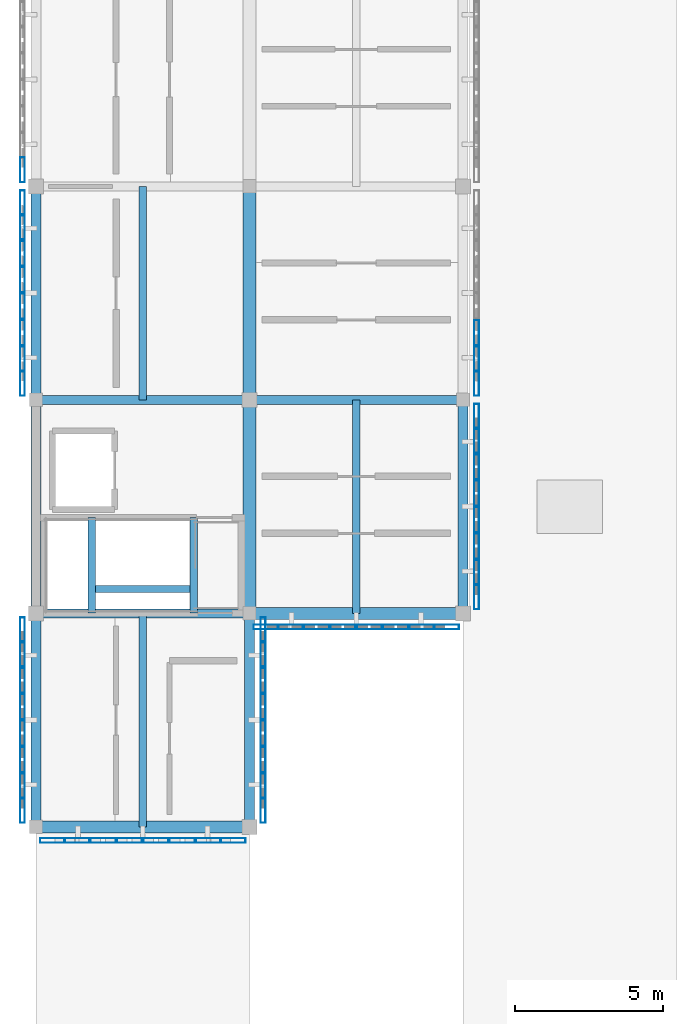
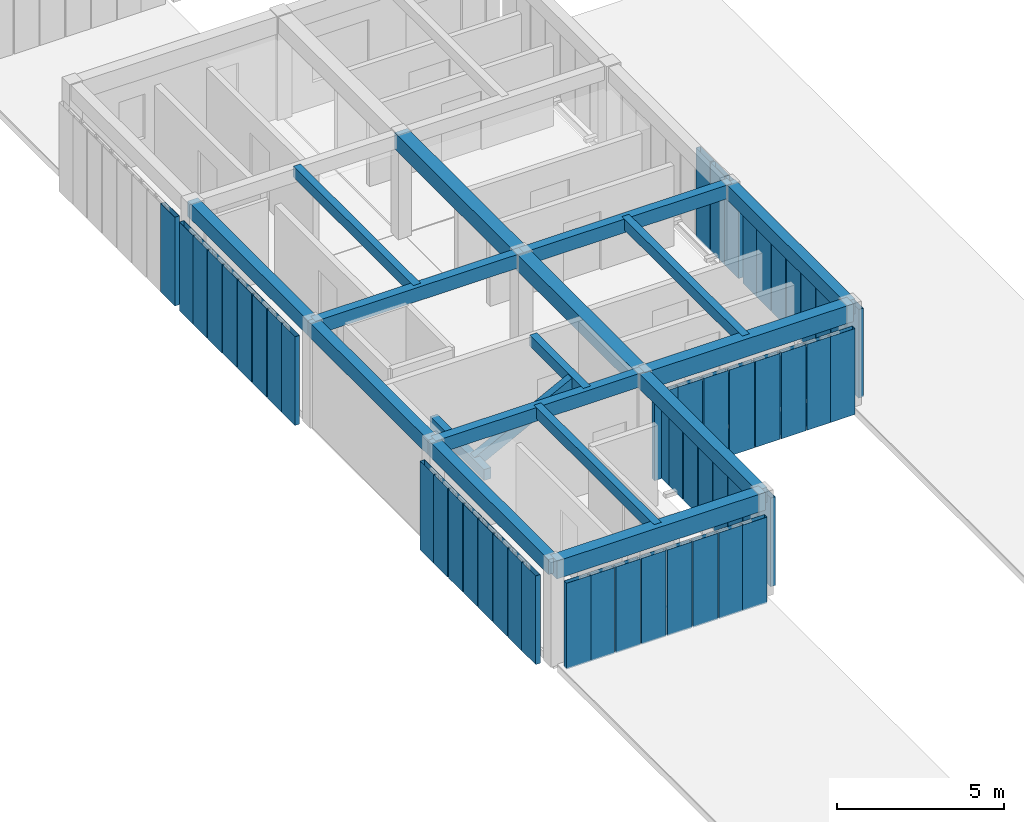
# One storey, part 3 of 67: 52 members, 18 beams, 8 elements without a shape of their own.
"""IFC4 building model written with IfcOpenShell, lengths in metres."""

from ifc_helpers import new_model, si_unit, direction, frame, origin, origin_2d, place, context, subcontext, project, spatial, rectangle, hollow_rectangle, extrude, material, material_profile, profile_set, type_object, element, aggregate, save


model = new_model("IFC4")

# Units and contexts
model_context = context("Model", 3, precision=1e-05, world=origin(), true_north=direction((0.0, 1.0)))
body_context = subcontext(model_context, "Body", "Model", "MODEL_VIEW")
ifc_project = project(units=[si_unit("LENGTHUNIT", "METRE"), si_unit("AREAUNIT", "SQUARE_METRE"), si_unit("VOLUMEUNIT", "CUBIC_METRE"), si_unit("PLANEANGLEUNIT", "RADIAN"), si_unit("MASSUNIT", "GRAM", prefix="KILO")], contexts=[model_context])

# Site, building, storey
site_placement = place(None, origin())
site = spatial("IfcSite", under=ifc_project, at=site_placement, CompositionType="ELEMENT")
building_placement = place(site_placement, origin())
building = spatial("IfcBuilding", under=site, at=building_placement, Name="Aldebral Square Health Centre", CompositionType="ELEMENT")
storey_placement = place(building_placement, frame((0.0, 0.0, 13.5)))
storey = spatial("IfcBuildingStorey", under=building, at=storey_placement, Name="L03", CompositionType="ELEMENT", Elevation=13.5)

# Beams
ifc_material_1 = material(Name="Concrete C40/50", Category="concrete")
ifc_material_profile_1 = material_profile(ifc_material_1, rectangle(XDim=0.39990234375, YDim=0.64990234375, at=origin_2d()), Name="RC 400x650")
ifc_profile_set_1 = profile_set([ifc_material_profile_1], Name="Concrete C40/50")
beam_type_1 = type_object("IfcBeamType", Name="BM-B1", PredefinedType="BEAM", material=ifc_profile_set_1)
for number, where, z_axis, x_axis, name in (
    (1, (0.0, 21.60009765625, 3.465087890625), (1.0, 0.0, 0.0), (0.0, 1.0, 0.0), "L03 X-beam 1-2/G4"),
    (2, (7.199951171875, 28.800048828125, 3.465087890625), (1.0, 0.0, 0.0), (0.0, 1.0, 0.0), "L03 X-beam 2-3/G5"),
):
    element("IfcBeam", number, at=place(storey_placement, frame(where, z_axis=z_axis, x_axis=x_axis)), inside=storey, type_object=beam_type_1, Name=name, PredefinedType="BEAM", context=body_context, shape_type="SweptSolid", body=[
        extrude(rectangle(XDim=0.39990234375, YDim=0.64990234375, at=origin_2d()), origin(), (0.0, 0.0, 1.0), 7.199951171875),
    ])
ifc_material_profile_2 = material_profile(ifc_material_1, rectangle(XDim=0.35009765625, YDim=0.550048828125, at=origin_2d()), Name="RC 350x550")
ifc_profile_set_2 = profile_set([ifc_material_profile_2], Name="Concrete C40/50")
beam_type_2 = type_object("IfcBeamType", Name="BM-B3", PredefinedType="BEAM", material=ifc_profile_set_2)
for number, where, z_axis, x_axis, name in (
    (3, (0.0, 21.60009765625, 3.514892578125), (0.0, 1.0, 0.0), (-1.0, 0.0, 0.0), "L03 Y-beam G1/4-5"),
    (4, (0.0, 28.800048828125, 3.514892578125), (0.0, 1.0, 0.0), (-1.0, 0.0, 0.0), "L03 Y-beam G1/5-6"),
    (5, (0.0, 36.0, 3.514892578125), (0.0, 1.0, 0.0), (-1.0, 0.0, 0.0), "L03 Y-beam G1/6-7"),
    (6, (7.199951171875, 21.60009765625, 3.514892578125), (0.0, 1.0, 0.0), (-1.0, 0.0, 0.0), "L03 Y-beam G2/4-5"),
    (7, (14.39990234375, 28.800048828125, 3.514892578125), (0.0, 1.0, 0.0), (-1.0, 0.0, 0.0), "L03 Y-beam G3/5-6"),
):
    element("IfcBeam", number, at=place(storey_placement, frame(where, z_axis=z_axis, x_axis=x_axis)), inside=storey, type_object=beam_type_2, Name=name, PredefinedType="BEAM", context=body_context, shape_type="SweptSolid", body=[
        extrude(rectangle(XDim=0.35009765625, YDim=0.550048828125, at=origin_2d()), origin(), (0.0, 0.0, 1.0), 7.199951171875),
    ])
ifc_material_profile_3 = material_profile(ifc_material_1, rectangle(XDim=0.300048828125, YDim=0.5, at=origin_2d()), Name="RC 300x500")
ifc_profile_set_3 = profile_set([ifc_material_profile_3], Name="Concrete C40/50")
beam_type_3 = type_object("IfcBeamType", Name="BM-B4", PredefinedType="BEAM", material=ifc_profile_set_3)
for number, where, z_axis, x_axis, name in (
    (8, (0.0, 28.800048828125, 3.5400390625), (1.0, 0.0, 0.0), (0.0, 1.0, 0.0), "L03 X-beam 1-2/G5"),
    (9, (0.0, 36.0, 3.5400390625), (1.0, 0.0, 0.0), (0.0, 1.0, 0.0), "L03 X-beam 1-2/G6"),
    (10, (7.199951171875, 36.0, 3.5400390625), (1.0, 0.0, 0.0), (0.0, 1.0, 0.0), "L03 X-beam 2-3/G6"),
):
    element("IfcBeam", number, at=place(storey_placement, frame(where, z_axis=z_axis, x_axis=x_axis)), inside=storey, type_object=beam_type_3, Name=name, PredefinedType="BEAM", context=body_context, shape_type="SweptSolid", body=[
        extrude(rectangle(XDim=0.300048828125, YDim=0.5, at=origin_2d()), origin(), (0.0, 0.0, 1.0), 7.199951171875),
    ])
ifc_material_profile_4 = material_profile(ifc_material_1, rectangle(XDim=0.25, YDim=0.39990234375, at=origin_2d()), Name="RC 250x400")
ifc_profile_set_4 = profile_set([ifc_material_profile_4], Name="Concrete C40/50")
beam_type_4 = type_object("IfcBeamType", Name="BM-B6", PredefinedType="JOIST", material=ifc_profile_set_4)
for number, where, z_axis, x_axis, name in (
    (11, (3.60009765625, 21.60009765625, 3.590087890625), (0.0, 1.0, 0.0), (-1.0, 0.0, 0.0), "L03 secondary rib 1.4"),
    (12, (3.60009765625, 36.0, 3.590087890625), (0.0, 1.0, 0.0), (-1.0, 0.0, 0.0), "L03 secondary rib 1.6"),
    (13, (10.800048828125, 28.800048828125, 3.590087890625), (0.0, 1.0, 0.0), (-1.0, 0.0, 0.0), "L03 secondary rib 2.5"),
):
    element("IfcBeam", number, at=place(storey_placement, frame(where, z_axis=z_axis, x_axis=x_axis)), inside=storey, type_object=beam_type_4, Name=name, PredefinedType="JOIST", context=body_context, shape_type="SweptSolid", body=[
        extrude(rectangle(XDim=0.25, YDim=0.39990234375, at=origin_2d()), origin(), (0.0, 0.0, 1.0), 7.199951171875),
    ])
for number, where, z_axis, x_axis, name in (
    (14, (1.8798828125, 28.81005859375, 1.824951171875), (0.0, 1.0, 0.0), (-1.0, 0.0, 0.0), "L03 WC-C5 half-landing beam"),
    (15, (5.320068359375, 28.81005859375, 3.590087890625), (0.0, 1.0, 0.0), (-1.0, 0.0, 0.0), "L03 WC-C5 upper landing beam"),
):
    element("IfcBeam", number, at=place(storey_placement, frame(where, z_axis=z_axis, x_axis=x_axis)), inside=storey, type_object=beam_type_4, Name=name, PredefinedType="JOIST", context=body_context, shape_type="SweptSolid", body=[
        extrude(rectangle(XDim=0.25, YDim=0.39990234375, at=origin_2d()), origin(), (0.0, 0.0, 1.0), 3.219970703125),
    ])
beam_placement = place(storey_placement, frame((1.8798828125, 29.6201171875, 1.824951171875), z_axis=(0.889718835693, 0.0, 0.456508919314), x_axis=(0.0, 1.0, 0.0)))
element("IfcBeam", 16, at=beam_placement, inside=storey, type_object=beam_type_4, Name="L03 WC-C5 flight stringer beam", PredefinedType="JOIST", context=body_context, shape_type="SweptSolid", body=[
    extrude(rectangle(XDim=0.25, YDim=0.39990234375, at=origin_2d()), origin(), (0.0, 0.0, 1.0), 3.86669921875),
])
ifc_material_profile_5 = material_profile(ifc_material_1, rectangle(XDim=0.449951171875, YDim=0.60009765625, at=origin_2d()), Name="RC 450x600")
ifc_profile_set_5 = profile_set([ifc_material_profile_5], Name="Concrete C40/50")
beam_type_5 = type_object("IfcBeamType", Name="BM-LN1", PredefinedType="LINTEL", material=ifc_profile_set_5)
for number, where, z_axis, x_axis, name in (
    (17, (7.199951171875, 28.800048828125, 3.489990234375), (0.0, 1.0, 0.0), (-1.0, 0.0, 0.0), "L03 Y-beam G2/5-6"),
    (18, (7.199951171875, 36.0, 3.489990234375), (0.0, 1.0, 0.0), (-1.0, 0.0, 0.0), "L03 Y-beam G2/6-7"),
):
    element("IfcBeam", number, at=place(storey_placement, frame(where, z_axis=z_axis, x_axis=x_axis)), inside=storey, type_object=beam_type_5, Name=name, PredefinedType="LINTEL", context=body_context, shape_type="SweptSolid", body=[
        extrude(rectangle(XDim=0.449951171875, YDim=0.60009765625, at=origin_2d()), origin(), (0.0, 0.0, 1.0), 7.199951171875),
    ])

# Curtain wall, members
ifc_material_2 = material(Name="Aluminium and low-E solar glass", Category="aluminium")
curtain_wall_type = type_object("IfcCurtainWallType", Name="CW-FIN-SYS", PredefinedType="USERDEFINED", material=ifc_material_2)
curtain_wall_1_placement = place(storey_placement, origin())
curtain_wall_1 = element("IfcCurtainWall", 19, at=curtain_wall_1_placement, inside=storey, type_object=curtain_wall_type, Name="L03 V6 finned curtain wall L03-V6-00-03-S", ObjectType="SOLAR_CURTAIN_WALL", PredefinedType="USERDEFINED")
ifc_material_3 = material(Name="Sienna-terracotta clad aluminium fin", Category="masonry")
ifc_material_profile_6 = material_profile(ifc_material_3, hollow_rectangle(XDim=0.159912109375, YDim=0.85009765625, WallThickness=0.006103515625, at=origin_2d()), Name="FIN 160x850x6")
ifc_profile_set_6 = profile_set([ifc_material_profile_6], Name="Sienna-terracotta clad aluminium fin")
member_type = type_object("IfcMemberType", Name="CWM-FIN", PredefinedType="MULLION", material=ifc_profile_set_6)
member_1_placement = place(storey_placement, frame((0.56005859375, 21.139892578125, 0.0), z_axis=(0.0, 0.0, 1.0), x_axis=(0.0, 1.0, 0.0)))
member_1 = element("IfcMember", 20, at=member_1_placement, type_object=member_type, Name="CW1 mullion 1", PredefinedType="MULLION", context=body_context, shape_type="SweptSolid", body=[
    extrude(hollow_rectangle(XDim=0.159912109375, YDim=0.85009765625, WallThickness=0.006103515625, at=origin_2d()), origin(), (0.0, 0.0, 1.0), 3.139892578125),
])
member_2_placement = place(storey_placement, frame((1.371337890625, 21.139892578125, 0.0), z_axis=(0.0, 0.0, 1.0), x_axis=(0.0, 1.0, 0.0)))
member_2 = element("IfcMember", 21, at=member_2_placement, type_object=member_type, Name="CW1 mullion 2", PredefinedType="MULLION", context=body_context, shape_type="SweptSolid", body=[
    extrude(hollow_rectangle(XDim=0.159912109375, YDim=0.85009765625, WallThickness=0.006103515625, at=origin_2d()), origin(), (0.0, 0.0, 1.0), 3.139892578125),
])
member_3_placement = place(storey_placement, frame((2.262939453125, 21.139892578125, 0.0), z_axis=(0.0, 0.0, 1.0), x_axis=(0.0, 1.0, 0.0)))
member_3 = element("IfcMember", 22, at=member_3_placement, type_object=member_type, Name="CW1 mullion 3", PredefinedType="MULLION", context=body_context, shape_type="SweptSolid", body=[
    extrude(hollow_rectangle(XDim=0.159912109375, YDim=0.85009765625, WallThickness=0.006103515625, at=origin_2d()), origin(), (0.0, 0.0, 1.0), 3.139892578125),
])
member_4_placement = place(storey_placement, frame((3.154296875, 21.139892578125, 0.0), z_axis=(0.0, 0.0, 1.0), x_axis=(0.0, 1.0, 0.0)))
member_4 = element("IfcMember", 23, at=member_4_placement, type_object=member_type, Name="CW1 mullion 4", PredefinedType="MULLION", context=body_context, shape_type="SweptSolid", body=[
    extrude(hollow_rectangle(XDim=0.159912109375, YDim=0.85009765625, WallThickness=0.006103515625, at=origin_2d()), origin(), (0.0, 0.0, 1.0), 3.139892578125),
])
member_5_placement = place(storey_placement, frame((4.045654296875, 21.139892578125, 0.0), z_axis=(0.0, 0.0, 1.0), x_axis=(0.0, 1.0, 0.0)))
member_5 = element("IfcMember", 24, at=member_5_placement, type_object=member_type, Name="CW1 mullion 5", PredefinedType="MULLION", context=body_context, shape_type="SweptSolid", body=[
    extrude(hollow_rectangle(XDim=0.159912109375, YDim=0.85009765625, WallThickness=0.006103515625, at=origin_2d()), origin(), (0.0, 0.0, 1.0), 3.139892578125),
])
member_6_placement = place(storey_placement, frame((4.937255859375, 21.139892578125, 0.0), z_axis=(0.0, 0.0, 1.0), x_axis=(0.0, 1.0, 0.0)))
member_6 = element("IfcMember", 25, at=member_6_placement, type_object=member_type, Name="CW1 mullion 6", PredefinedType="MULLION", context=body_context, shape_type="SweptSolid", body=[
    extrude(hollow_rectangle(XDim=0.159912109375, YDim=0.85009765625, WallThickness=0.006103515625, at=origin_2d()), origin(), (0.0, 0.0, 1.0), 3.139892578125),
])
member_7_placement = place(storey_placement, frame((5.82861328125, 21.139892578125, 0.0), z_axis=(0.0, 0.0, 1.0), x_axis=(0.0, 1.0, 0.0)))
member_7 = element("IfcMember", 26, at=member_7_placement, type_object=member_type, Name="CW1 mullion 7", PredefinedType="MULLION", context=body_context, shape_type="SweptSolid", body=[
    extrude(hollow_rectangle(XDim=0.159912109375, YDim=0.85009765625, WallThickness=0.006103515625, at=origin_2d()), origin(), (0.0, 0.0, 1.0), 3.139892578125),
])
member_8_placement = place(storey_placement, frame((6.639892578125, 21.139892578125, 0.0), z_axis=(0.0, 0.0, 1.0), x_axis=(0.0, 1.0, 0.0)))
member_8 = element("IfcMember", 27, at=member_8_placement, type_object=member_type, Name="CW1 mullion 8", PredefinedType="MULLION", context=body_context, shape_type="SweptSolid", body=[
    extrude(hollow_rectangle(XDim=0.159912109375, YDim=0.85009765625, WallThickness=0.006103515625, at=origin_2d()), origin(), (0.0, 0.0, 1.0), 3.139892578125),
])
aggregate(curtain_wall_1, [member_1, member_2, member_3, member_4, member_5, member_6, member_7, member_8])

curtain_wall_2_placement = place(storey_placement, origin())
curtain_wall_2 = element("IfcCurtainWall", 28, at=curtain_wall_2_placement, inside=storey, type_object=curtain_wall_type, Name="L03 V6 finned curtain wall L03-V6-00-03-W", ObjectType="SOLAR_CURTAIN_WALL", PredefinedType="USERDEFINED")
member_9_placement = place(storey_placement, frame((-0.4599609375, 28.239990234375, 0.0), z_axis=(0.0, 0.0, 1.0), x_axis=(1.0, 0.0, 0.0)))
member_9 = element("IfcMember", 29, at=member_9_placement, type_object=member_type, Name="CW1 mullion 1", PredefinedType="MULLION", context=body_context, shape_type="SweptSolid", body=[
    extrude(hollow_rectangle(XDim=0.159912109375, YDim=0.85009765625, WallThickness=0.006103515625, at=origin_2d()), origin(), (0.0, 0.0, 1.0), 3.239990234375),
])
member_10_placement = place(storey_placement, frame((-0.4599609375, 27.428466796875, 0.0), z_axis=(0.0, 0.0, 1.0), x_axis=(1.0, 0.0, 0.0)))
member_10 = element("IfcMember", 30, at=member_10_placement, type_object=member_type, Name="CW1 mullion 2", PredefinedType="MULLION", context=body_context, shape_type="SweptSolid", body=[
    extrude(hollow_rectangle(XDim=0.159912109375, YDim=0.85009765625, WallThickness=0.006103515625, at=origin_2d()), origin(), (0.0, 0.0, 1.0), 3.239990234375),
])
member_11_placement = place(storey_placement, frame((-0.4599609375, 26.537109375, 0.0), z_axis=(0.0, 0.0, 1.0), x_axis=(1.0, 0.0, 0.0)))
member_11 = element("IfcMember", 31, at=member_11_placement, type_object=member_type, Name="CW1 mullion 3", PredefinedType="MULLION", context=body_context, shape_type="SweptSolid", body=[
    extrude(hollow_rectangle(XDim=0.159912109375, YDim=0.85009765625, WallThickness=0.006103515625, at=origin_2d()), origin(), (0.0, 0.0, 1.0), 3.239990234375),
])
member_12_placement = place(storey_placement, frame((-0.4599609375, 25.645751953125, 0.0), z_axis=(0.0, 0.0, 1.0), x_axis=(1.0, 0.0, 0.0)))
member_12 = element("IfcMember", 32, at=member_12_placement, type_object=member_type, Name="CW1 mullion 4", PredefinedType="MULLION", context=body_context, shape_type="SweptSolid", body=[
    extrude(hollow_rectangle(XDim=0.159912109375, YDim=0.85009765625, WallThickness=0.006103515625, at=origin_2d()), origin(), (0.0, 0.0, 1.0), 3.239990234375),
])
member_13_placement = place(storey_placement, frame((-0.4599609375, 24.75439453125, 0.0), z_axis=(0.0, 0.0, 1.0), x_axis=(1.0, 0.0, 0.0)))
member_13 = element("IfcMember", 33, at=member_13_placement, type_object=member_type, Name="CW1 mullion 5", PredefinedType="MULLION", context=body_context, shape_type="SweptSolid", body=[
    extrude(hollow_rectangle(XDim=0.159912109375, YDim=0.85009765625, WallThickness=0.006103515625, at=origin_2d()), origin(), (0.0, 0.0, 1.0), 3.239990234375),
])
member_14_placement = place(storey_placement, frame((-0.4599609375, 23.86279296875, 0.0), z_axis=(0.0, 0.0, 1.0), x_axis=(1.0, 0.0, 0.0)))
member_14 = element("IfcMember", 34, at=member_14_placement, type_object=member_type, Name="CW1 mullion 6", PredefinedType="MULLION", context=body_context, shape_type="SweptSolid", body=[
    extrude(hollow_rectangle(XDim=0.159912109375, YDim=0.85009765625, WallThickness=0.006103515625, at=origin_2d()), origin(), (0.0, 0.0, 1.0), 3.239990234375),
])
member_15_placement = place(storey_placement, frame((-0.4599609375, 22.971435546875, 0.0), z_axis=(0.0, 0.0, 1.0), x_axis=(1.0, 0.0, 0.0)))
member_15 = element("IfcMember", 35, at=member_15_placement, type_object=member_type, Name="CW1 mullion 7", PredefinedType="MULLION", context=body_context, shape_type="SweptSolid", body=[
    extrude(hollow_rectangle(XDim=0.159912109375, YDim=0.85009765625, WallThickness=0.006103515625, at=origin_2d()), origin(), (0.0, 0.0, 1.0), 3.239990234375),
])
member_16_placement = place(storey_placement, frame((-0.4599609375, 22.159912109375, 0.0), z_axis=(0.0, 0.0, 1.0), x_axis=(1.0, 0.0, 0.0)))
member_16 = element("IfcMember", 36, at=member_16_placement, type_object=member_type, Name="CW1 mullion 8", PredefinedType="MULLION", context=body_context, shape_type="SweptSolid", body=[
    extrude(hollow_rectangle(XDim=0.159912109375, YDim=0.85009765625, WallThickness=0.006103515625, at=origin_2d()), origin(), (0.0, 0.0, 1.0), 3.239990234375),
])
aggregate(curtain_wall_2, [member_9, member_10, member_11, member_12, member_13, member_14, member_15, member_16])

curtain_wall_3_placement = place(storey_placement, origin())
curtain_wall_3 = element("IfcCurtainWall", 37, at=curtain_wall_3_placement, inside=storey, type_object=curtain_wall_type, Name="L03 V6 finned curtain wall L03-V6-00-03-E", ObjectType="SOLAR_CURTAIN_WALL", PredefinedType="USERDEFINED")
member_17_placement = place(storey_placement, frame((7.659912109375, 22.159912109375, 0.0), z_axis=(0.0, 0.0, 1.0), x_axis=(-1.0, 0.0, 0.0)))
member_17 = element("IfcMember", 38, at=member_17_placement, type_object=member_type, Name="CW1 mullion 1", PredefinedType="MULLION", context=body_context, shape_type="SweptSolid", body=[
    extrude(hollow_rectangle(XDim=0.159912109375, YDim=0.85009765625, WallThickness=0.006103515625, at=origin_2d()), origin(), (0.0, 0.0, 1.0), 3.239990234375),
])
member_18_placement = place(storey_placement, frame((7.659912109375, 22.971435546875, 0.0), z_axis=(0.0, 0.0, 1.0), x_axis=(-1.0, 0.0, 0.0)))
member_18 = element("IfcMember", 39, at=member_18_placement, type_object=member_type, Name="CW1 mullion 2", PredefinedType="MULLION", context=body_context, shape_type="SweptSolid", body=[
    extrude(hollow_rectangle(XDim=0.159912109375, YDim=0.85009765625, WallThickness=0.006103515625, at=origin_2d()), origin(), (0.0, 0.0, 1.0), 3.239990234375),
])
member_19_placement = place(storey_placement, frame((7.659912109375, 23.86279296875, 0.0), z_axis=(0.0, 0.0, 1.0), x_axis=(-1.0, 0.0, 0.0)))
member_19 = element("IfcMember", 40, at=member_19_placement, type_object=member_type, Name="CW1 mullion 3", PredefinedType="MULLION", context=body_context, shape_type="SweptSolid", body=[
    extrude(hollow_rectangle(XDim=0.159912109375, YDim=0.85009765625, WallThickness=0.006103515625, at=origin_2d()), origin(), (0.0, 0.0, 1.0), 3.239990234375),
])
member_20_placement = place(storey_placement, frame((7.659912109375, 24.75439453125, 0.0), z_axis=(0.0, 0.0, 1.0), x_axis=(-1.0, 0.0, 0.0)))
member_20 = element("IfcMember", 41, at=member_20_placement, type_object=member_type, Name="CW1 mullion 4", PredefinedType="MULLION", context=body_context, shape_type="SweptSolid", body=[
    extrude(hollow_rectangle(XDim=0.159912109375, YDim=0.85009765625, WallThickness=0.006103515625, at=origin_2d()), origin(), (0.0, 0.0, 1.0), 3.239990234375),
])
member_21_placement = place(storey_placement, frame((7.659912109375, 25.645751953125, 0.0), z_axis=(0.0, 0.0, 1.0), x_axis=(-1.0, 0.0, 0.0)))
member_21 = element("IfcMember", 42, at=member_21_placement, type_object=member_type, Name="CW1 mullion 5", PredefinedType="MULLION", context=body_context, shape_type="SweptSolid", body=[
    extrude(hollow_rectangle(XDim=0.159912109375, YDim=0.85009765625, WallThickness=0.006103515625, at=origin_2d()), origin(), (0.0, 0.0, 1.0), 3.239990234375),
])
member_22_placement = place(storey_placement, frame((7.659912109375, 26.537109375, 0.0), z_axis=(0.0, 0.0, 1.0), x_axis=(-1.0, 0.0, 0.0)))
member_22 = element("IfcMember", 43, at=member_22_placement, type_object=member_type, Name="CW1 mullion 6", PredefinedType="MULLION", context=body_context, shape_type="SweptSolid", body=[
    extrude(hollow_rectangle(XDim=0.159912109375, YDim=0.85009765625, WallThickness=0.006103515625, at=origin_2d()), origin(), (0.0, 0.0, 1.0), 3.239990234375),
])
member_23_placement = place(storey_placement, frame((7.659912109375, 27.428466796875, 0.0), z_axis=(0.0, 0.0, 1.0), x_axis=(-1.0, 0.0, 0.0)))
member_23 = element("IfcMember", 44, at=member_23_placement, type_object=member_type, Name="CW1 mullion 7", PredefinedType="MULLION", context=body_context, shape_type="SweptSolid", body=[
    extrude(hollow_rectangle(XDim=0.159912109375, YDim=0.85009765625, WallThickness=0.006103515625, at=origin_2d()), origin(), (0.0, 0.0, 1.0), 3.239990234375),
])
member_24_placement = place(storey_placement, frame((7.659912109375, 28.239990234375, 0.0), z_axis=(0.0, 0.0, 1.0), x_axis=(-1.0, 0.0, 0.0)))
member_24 = element("IfcMember", 45, at=member_24_placement, type_object=member_type, Name="CW1 mullion 8", PredefinedType="MULLION", context=body_context, shape_type="SweptSolid", body=[
    extrude(hollow_rectangle(XDim=0.159912109375, YDim=0.85009765625, WallThickness=0.006103515625, at=origin_2d()), origin(), (0.0, 0.0, 1.0), 3.239990234375),
])
aggregate(curtain_wall_3, [member_17, member_18, member_19, member_20, member_21, member_22, member_23, member_24])

curtain_wall_4_placement = place(storey_placement, origin())
curtain_wall_4 = element("IfcCurtainWall", 46, at=curtain_wall_4_placement, inside=storey, type_object=curtain_wall_type, Name="L03 V6 finned curtain wall L03-V6-00-05-W", ObjectType="SOLAR_CURTAIN_WALL", PredefinedType="USERDEFINED")
member_25_placement = place(storey_placement, frame((-0.4599609375, 42.639892578125, 0.0), z_axis=(0.0, 0.0, 1.0), x_axis=(1.0, 0.0, 0.0)))
member_25 = element("IfcMember", 47, at=member_25_placement, type_object=member_type, Name="CW1 mullion 1", PredefinedType="MULLION", context=body_context, shape_type="SweptSolid", body=[
    extrude(hollow_rectangle(XDim=0.159912109375, YDim=0.85009765625, WallThickness=0.006103515625, at=origin_2d()), origin(), (0.0, 0.0, 1.0), 3.239990234375),
])
member_26_placement = place(storey_placement, frame((-0.4599609375, 41.82861328125, 0.0), z_axis=(0.0, 0.0, 1.0), x_axis=(1.0, 0.0, 0.0)))
member_26 = element("IfcMember", 48, at=member_26_placement, type_object=member_type, Name="CW1 mullion 2", PredefinedType="MULLION", context=body_context, shape_type="SweptSolid", body=[
    extrude(hollow_rectangle(XDim=0.159912109375, YDim=0.85009765625, WallThickness=0.006103515625, at=origin_2d()), origin(), (0.0, 0.0, 1.0), 3.239990234375),
])
member_27_placement = place(storey_placement, frame((-0.4599609375, 40.937255859375, 0.0), z_axis=(0.0, 0.0, 1.0), x_axis=(1.0, 0.0, 0.0)))
member_27 = element("IfcMember", 49, at=member_27_placement, type_object=member_type, Name="CW1 mullion 3", PredefinedType="MULLION", context=body_context, shape_type="SweptSolid", body=[
    extrude(hollow_rectangle(XDim=0.159912109375, YDim=0.85009765625, WallThickness=0.006103515625, at=origin_2d()), origin(), (0.0, 0.0, 1.0), 3.239990234375),
])
member_28_placement = place(storey_placement, frame((-0.4599609375, 40.045654296875, 0.0), z_axis=(0.0, 0.0, 1.0), x_axis=(1.0, 0.0, 0.0)))
member_28 = element("IfcMember", 50, at=member_28_placement, type_object=member_type, Name="CW1 mullion 4", PredefinedType="MULLION", context=body_context, shape_type="SweptSolid", body=[
    extrude(hollow_rectangle(XDim=0.159912109375, YDim=0.85009765625, WallThickness=0.006103515625, at=origin_2d()), origin(), (0.0, 0.0, 1.0), 3.239990234375),
])
member_29_placement = place(storey_placement, frame((-0.4599609375, 39.154296875, 0.0), z_axis=(0.0, 0.0, 1.0), x_axis=(1.0, 0.0, 0.0)))
member_29 = element("IfcMember", 51, at=member_29_placement, type_object=member_type, Name="CW1 mullion 5", PredefinedType="MULLION", context=body_context, shape_type="SweptSolid", body=[
    extrude(hollow_rectangle(XDim=0.159912109375, YDim=0.85009765625, WallThickness=0.006103515625, at=origin_2d()), origin(), (0.0, 0.0, 1.0), 3.239990234375),
])
member_30_placement = place(storey_placement, frame((-0.4599609375, 38.262939453125, 0.0), z_axis=(0.0, 0.0, 1.0), x_axis=(1.0, 0.0, 0.0)))
member_30 = element("IfcMember", 52, at=member_30_placement, type_object=member_type, Name="CW1 mullion 6", PredefinedType="MULLION", context=body_context, shape_type="SweptSolid", body=[
    extrude(hollow_rectangle(XDim=0.159912109375, YDim=0.85009765625, WallThickness=0.006103515625, at=origin_2d()), origin(), (0.0, 0.0, 1.0), 3.239990234375),
])
member_31_placement = place(storey_placement, frame((-0.4599609375, 37.371337890625, 0.0), z_axis=(0.0, 0.0, 1.0), x_axis=(1.0, 0.0, 0.0)))
member_31 = element("IfcMember", 53, at=member_31_placement, type_object=member_type, Name="CW1 mullion 7", PredefinedType="MULLION", context=body_context, shape_type="SweptSolid", body=[
    extrude(hollow_rectangle(XDim=0.159912109375, YDim=0.85009765625, WallThickness=0.006103515625, at=origin_2d()), origin(), (0.0, 0.0, 1.0), 3.239990234375),
])
member_32_placement = place(storey_placement, frame((-0.4599609375, 36.56005859375, 0.0), z_axis=(0.0, 0.0, 1.0), x_axis=(1.0, 0.0, 0.0)))
member_32 = element("IfcMember", 54, at=member_32_placement, type_object=member_type, Name="CW1 mullion 8", PredefinedType="MULLION", context=body_context, shape_type="SweptSolid", body=[
    extrude(hollow_rectangle(XDim=0.159912109375, YDim=0.85009765625, WallThickness=0.006103515625, at=origin_2d()), origin(), (0.0, 0.0, 1.0), 3.239990234375),
])
aggregate(curtain_wall_4, [member_25, member_26, member_27, member_28, member_29, member_30, member_31, member_32])

# Curtain wall, member
curtain_wall_5_placement = place(storey_placement, origin())
curtain_wall_5 = element("IfcCurtainWall", 55, at=curtain_wall_5_placement, inside=storey, type_object=curtain_wall_type, Name="L03 V6 finned curtain wall L03-V6-00-06-W", ObjectType="SOLAR_CURTAIN_WALL", PredefinedType="USERDEFINED")
member_33_placement = place(storey_placement, frame((-0.4599609375, 43.760009765625, 0.0), z_axis=(0.0, 0.0, 1.0), x_axis=(1.0, 0.0, 0.0)))
member_33 = element("IfcMember", 56, at=member_33_placement, type_object=member_type, Name="CW1 mullion 8", PredefinedType="MULLION", context=body_context, shape_type="SweptSolid", body=[
    extrude(hollow_rectangle(XDim=0.159912109375, YDim=0.85009765625, WallThickness=0.006103515625, at=origin_2d()), origin(), (0.0, 0.0, 1.0), 3.239990234375),
])
aggregate(curtain_wall_5, [member_33])

# Curtain wall, members
curtain_wall_6_placement = place(storey_placement, origin())
curtain_wall_6 = element("IfcCurtainWall", 57, at=curtain_wall_6_placement, inside=storey, type_object=curtain_wall_type, Name="L03 V6 finned curtain wall L03-V6-01-04-S", ObjectType="SOLAR_CURTAIN_WALL", PredefinedType="USERDEFINED")
member_34_placement = place(storey_placement, frame((7.760009765625, 28.340087890625, 0.0), z_axis=(0.0, 0.0, 1.0), x_axis=(0.0, 1.0, 0.0)))
member_34 = element("IfcMember", 58, at=member_34_placement, type_object=member_type, Name="CW1 mullion 1", PredefinedType="MULLION", context=body_context, shape_type="SweptSolid", body=[
    extrude(hollow_rectangle(XDim=0.159912109375, YDim=0.85009765625, WallThickness=0.006103515625, at=origin_2d()), origin(), (0.0, 0.0, 1.0), 3.139892578125),
])
member_35_placement = place(storey_placement, frame((8.571533203125, 28.340087890625, 0.0), z_axis=(0.0, 0.0, 1.0), x_axis=(0.0, 1.0, 0.0)))
member_35 = element("IfcMember", 59, at=member_35_placement, type_object=member_type, Name="CW1 mullion 2", PredefinedType="MULLION", context=body_context, shape_type="SweptSolid", body=[
    extrude(hollow_rectangle(XDim=0.159912109375, YDim=0.85009765625, WallThickness=0.006103515625, at=origin_2d()), origin(), (0.0, 0.0, 1.0), 3.139892578125),
])
member_36_placement = place(storey_placement, frame((9.462890625, 28.340087890625, 0.0), z_axis=(0.0, 0.0, 1.0), x_axis=(0.0, 1.0, 0.0)))
member_36 = element("IfcMember", 60, at=member_36_placement, type_object=member_type, Name="CW1 mullion 3", PredefinedType="MULLION", context=body_context, shape_type="SweptSolid", body=[
    extrude(hollow_rectangle(XDim=0.159912109375, YDim=0.85009765625, WallThickness=0.006103515625, at=origin_2d()), origin(), (0.0, 0.0, 1.0), 3.139892578125),
])
member_37_placement = place(storey_placement, frame((10.354248046875, 28.340087890625, 0.0), z_axis=(0.0, 0.0, 1.0), x_axis=(0.0, 1.0, 0.0)))
member_37 = element("IfcMember", 61, at=member_37_placement, type_object=member_type, Name="CW1 mullion 4", PredefinedType="MULLION", context=body_context, shape_type="SweptSolid", body=[
    extrude(hollow_rectangle(XDim=0.159912109375, YDim=0.85009765625, WallThickness=0.006103515625, at=origin_2d()), origin(), (0.0, 0.0, 1.0), 3.139892578125),
])
member_38_placement = place(storey_placement, frame((11.24560546875, 28.340087890625, 0.0), z_axis=(0.0, 0.0, 1.0), x_axis=(0.0, 1.0, 0.0)))
member_38 = element("IfcMember", 62, at=member_38_placement, type_object=member_type, Name="CW1 mullion 5", PredefinedType="MULLION", context=body_context, shape_type="SweptSolid", body=[
    extrude(hollow_rectangle(XDim=0.159912109375, YDim=0.85009765625, WallThickness=0.006103515625, at=origin_2d()), origin(), (0.0, 0.0, 1.0), 3.139892578125),
])
member_39_placement = place(storey_placement, frame((12.13720703125, 28.340087890625, 0.0), z_axis=(0.0, 0.0, 1.0), x_axis=(0.0, 1.0, 0.0)))
member_39 = element("IfcMember", 63, at=member_39_placement, type_object=member_type, Name="CW1 mullion 6", PredefinedType="MULLION", context=body_context, shape_type="SweptSolid", body=[
    extrude(hollow_rectangle(XDim=0.159912109375, YDim=0.85009765625, WallThickness=0.006103515625, at=origin_2d()), origin(), (0.0, 0.0, 1.0), 3.139892578125),
])
member_40_placement = place(storey_placement, frame((13.028564453125, 28.340087890625, 0.0), z_axis=(0.0, 0.0, 1.0), x_axis=(0.0, 1.0, 0.0)))
member_40 = element("IfcMember", 64, at=member_40_placement, type_object=member_type, Name="CW1 mullion 7", PredefinedType="MULLION", context=body_context, shape_type="SweptSolid", body=[
    extrude(hollow_rectangle(XDim=0.159912109375, YDim=0.85009765625, WallThickness=0.006103515625, at=origin_2d()), origin(), (0.0, 0.0, 1.0), 3.139892578125),
])
member_41_placement = place(storey_placement, frame((13.840087890625, 28.340087890625, 0.0), z_axis=(0.0, 0.0, 1.0), x_axis=(0.0, 1.0, 0.0)))
member_41 = element("IfcMember", 65, at=member_41_placement, type_object=member_type, Name="CW1 mullion 8", PredefinedType="MULLION", context=body_context, shape_type="SweptSolid", body=[
    extrude(hollow_rectangle(XDim=0.159912109375, YDim=0.85009765625, WallThickness=0.006103515625, at=origin_2d()), origin(), (0.0, 0.0, 1.0), 3.139892578125),
])
aggregate(curtain_wall_6, [member_34, member_35, member_36, member_37, member_38, member_39, member_40, member_41])

curtain_wall_7_placement = place(storey_placement, origin())
curtain_wall_7 = element("IfcCurtainWall", 66, at=curtain_wall_7_placement, inside=storey, type_object=curtain_wall_type, Name="L03 V6 finned curtain wall L03-V6-01-04-E", ObjectType="SOLAR_CURTAIN_WALL", PredefinedType="USERDEFINED")
member_42_placement = place(storey_placement, frame((14.860107421875, 29.360107421875, 0.0), z_axis=(0.0, 0.0, 1.0), x_axis=(-1.0, 0.0, 0.0)))
member_42 = element("IfcMember", 67, at=member_42_placement, type_object=member_type, Name="CW1 mullion 1", PredefinedType="MULLION", context=body_context, shape_type="SweptSolid", body=[
    extrude(hollow_rectangle(XDim=0.159912109375, YDim=0.85009765625, WallThickness=0.006103515625, at=origin_2d()), origin(), (0.0, 0.0, 1.0), 3.239990234375),
])
member_43_placement = place(storey_placement, frame((14.860107421875, 30.17138671875, 0.0), z_axis=(0.0, 0.0, 1.0), x_axis=(-1.0, 0.0, 0.0)))
member_43 = element("IfcMember", 68, at=member_43_placement, type_object=member_type, Name="CW1 mullion 2", PredefinedType="MULLION", context=body_context, shape_type="SweptSolid", body=[
    extrude(hollow_rectangle(XDim=0.159912109375, YDim=0.85009765625, WallThickness=0.006103515625, at=origin_2d()), origin(), (0.0, 0.0, 1.0), 3.239990234375),
])
member_44_placement = place(storey_placement, frame((14.860107421875, 31.062744140625, 0.0), z_axis=(0.0, 0.0, 1.0), x_axis=(-1.0, 0.0, 0.0)))
member_44 = element("IfcMember", 69, at=member_44_placement, type_object=member_type, Name="CW1 mullion 3", PredefinedType="MULLION", context=body_context, shape_type="SweptSolid", body=[
    extrude(hollow_rectangle(XDim=0.159912109375, YDim=0.85009765625, WallThickness=0.006103515625, at=origin_2d()), origin(), (0.0, 0.0, 1.0), 3.239990234375),
])
member_45_placement = place(storey_placement, frame((14.860107421875, 31.954345703125, 0.0), z_axis=(0.0, 0.0, 1.0), x_axis=(-1.0, 0.0, 0.0)))
member_45 = element("IfcMember", 70, at=member_45_placement, type_object=member_type, Name="CW1 mullion 4", PredefinedType="MULLION", context=body_context, shape_type="SweptSolid", body=[
    extrude(hollow_rectangle(XDim=0.159912109375, YDim=0.85009765625, WallThickness=0.006103515625, at=origin_2d()), origin(), (0.0, 0.0, 1.0), 3.239990234375),
])
member_46_placement = place(storey_placement, frame((14.860107421875, 32.845703125, 0.0), z_axis=(0.0, 0.0, 1.0), x_axis=(-1.0, 0.0, 0.0)))
member_46 = element("IfcMember", 71, at=member_46_placement, type_object=member_type, Name="CW1 mullion 5", PredefinedType="MULLION", context=body_context, shape_type="SweptSolid", body=[
    extrude(hollow_rectangle(XDim=0.159912109375, YDim=0.85009765625, WallThickness=0.006103515625, at=origin_2d()), origin(), (0.0, 0.0, 1.0), 3.239990234375),
])
member_47_placement = place(storey_placement, frame((14.860107421875, 33.737060546875, 0.0), z_axis=(0.0, 0.0, 1.0), x_axis=(-1.0, 0.0, 0.0)))
member_47 = element("IfcMember", 72, at=member_47_placement, type_object=member_type, Name="CW1 mullion 6", PredefinedType="MULLION", context=body_context, shape_type="SweptSolid", body=[
    extrude(hollow_rectangle(XDim=0.159912109375, YDim=0.85009765625, WallThickness=0.006103515625, at=origin_2d()), origin(), (0.0, 0.0, 1.0), 3.239990234375),
])
member_48_placement = place(storey_placement, frame((14.860107421875, 34.628662109375, 0.0), z_axis=(0.0, 0.0, 1.0), x_axis=(-1.0, 0.0, 0.0)))
member_48 = element("IfcMember", 73, at=member_48_placement, type_object=member_type, Name="CW1 mullion 7", PredefinedType="MULLION", context=body_context, shape_type="SweptSolid", body=[
    extrude(hollow_rectangle(XDim=0.159912109375, YDim=0.85009765625, WallThickness=0.006103515625, at=origin_2d()), origin(), (0.0, 0.0, 1.0), 3.239990234375),
])
member_49_placement = place(storey_placement, frame((14.860107421875, 35.43994140625, 0.0), z_axis=(0.0, 0.0, 1.0), x_axis=(-1.0, 0.0, 0.0)))
member_49 = element("IfcMember", 74, at=member_49_placement, type_object=member_type, Name="CW1 mullion 8", PredefinedType="MULLION", context=body_context, shape_type="SweptSolid", body=[
    extrude(hollow_rectangle(XDim=0.159912109375, YDim=0.85009765625, WallThickness=0.006103515625, at=origin_2d()), origin(), (0.0, 0.0, 1.0), 3.239990234375),
])
aggregate(curtain_wall_7, [member_42, member_43, member_44, member_45, member_46, member_47, member_48, member_49])

curtain_wall_8_placement = place(storey_placement, origin())
curtain_wall_8 = element("IfcCurtainWall", 75, at=curtain_wall_8_placement, inside=storey, type_object=curtain_wall_type, Name="L03 V6 finned curtain wall L03-V6-01-05-E", ObjectType="SOLAR_CURTAIN_WALL", PredefinedType="USERDEFINED")
member_50_placement = place(storey_placement, frame((14.860107421875, 36.56005859375, 0.0), z_axis=(0.0, 0.0, 1.0), x_axis=(-1.0, 0.0, 0.0)))
member_50 = element("IfcMember", 76, at=member_50_placement, type_object=member_type, Name="CW1 mullion 1", PredefinedType="MULLION", context=body_context, shape_type="SweptSolid", body=[
    extrude(hollow_rectangle(XDim=0.159912109375, YDim=0.85009765625, WallThickness=0.006103515625, at=origin_2d()), origin(), (0.0, 0.0, 1.0), 3.239990234375),
])
member_51_placement = place(storey_placement, frame((14.860107421875, 37.371337890625, 0.0), z_axis=(0.0, 0.0, 1.0), x_axis=(-1.0, 0.0, 0.0)))
member_51 = element("IfcMember", 77, at=member_51_placement, type_object=member_type, Name="CW1 mullion 2", PredefinedType="MULLION", context=body_context, shape_type="SweptSolid", body=[
    extrude(hollow_rectangle(XDim=0.159912109375, YDim=0.85009765625, WallThickness=0.006103515625, at=origin_2d()), origin(), (0.0, 0.0, 1.0), 3.239990234375),
])
member_52_placement = place(storey_placement, frame((14.860107421875, 38.262939453125, 0.0), z_axis=(0.0, 0.0, 1.0), x_axis=(-1.0, 0.0, 0.0)))
member_52 = element("IfcMember", 78, at=member_52_placement, type_object=member_type, Name="CW1 mullion 3", PredefinedType="MULLION", context=body_context, shape_type="SweptSolid", body=[
    extrude(hollow_rectangle(XDim=0.159912109375, YDim=0.85009765625, WallThickness=0.006103515625, at=origin_2d()), origin(), (0.0, 0.0, 1.0), 3.239990234375),
])
aggregate(curtain_wall_8, [member_50, member_51, member_52])

save(model, "model.ifc")
